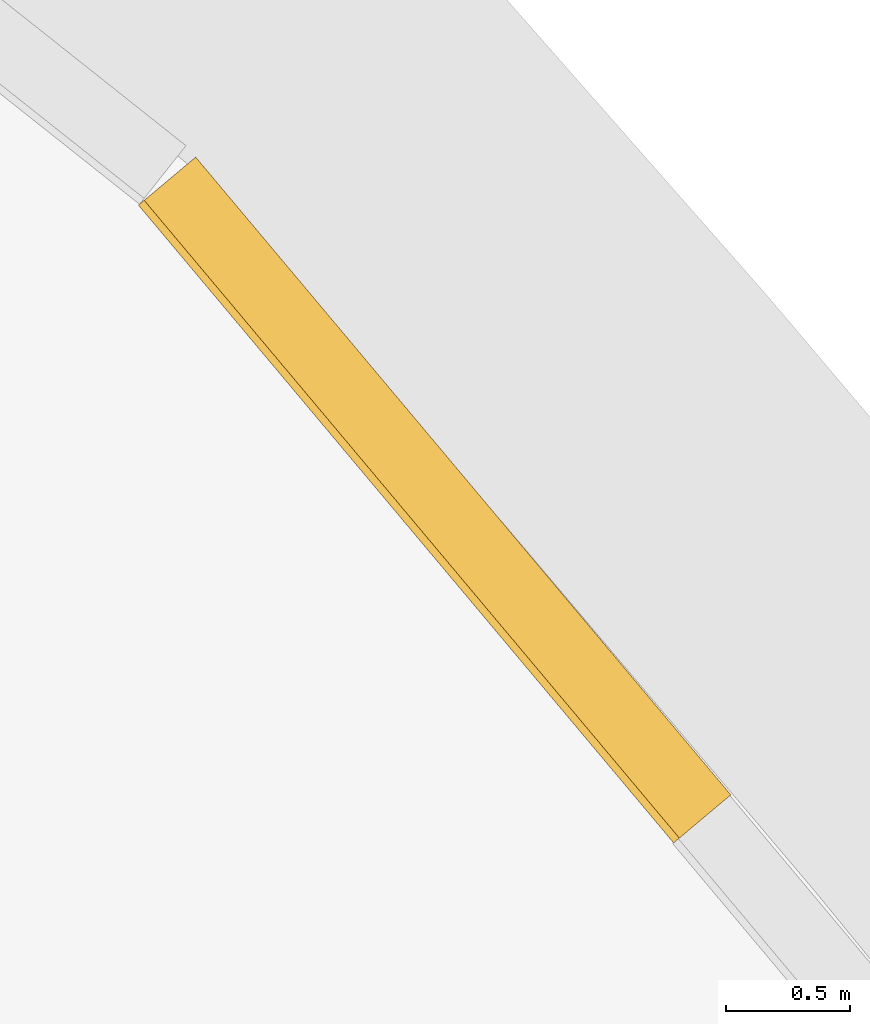
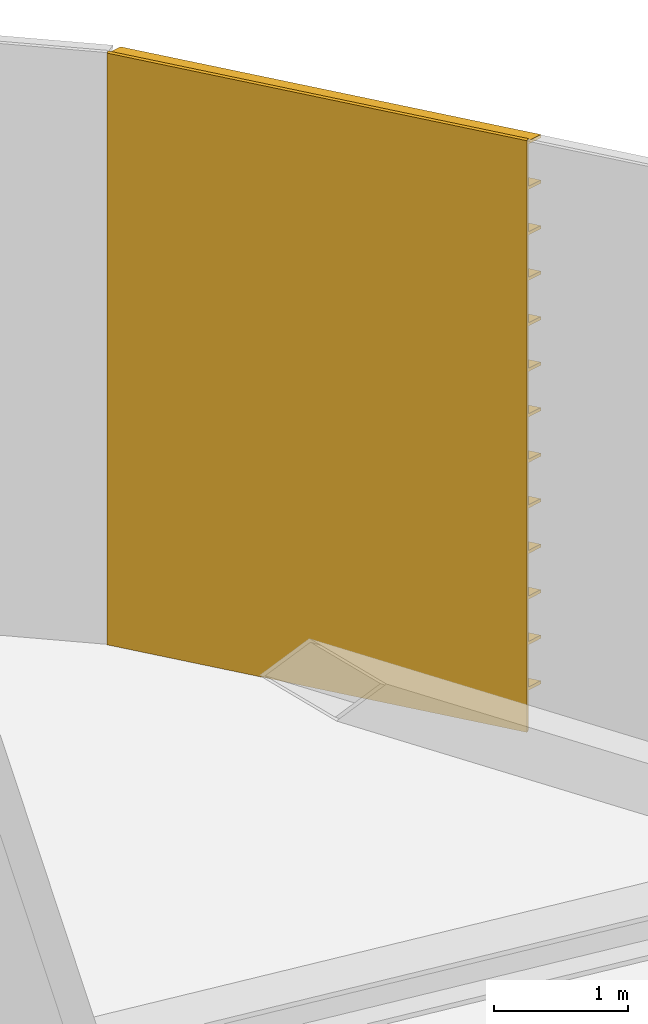
# One storey, part 14 of 15: 1 shading device.
"""IFC4 building model written with IfcOpenShell, lengths in metres."""

import ifcopenshell
import ifcopenshell.guid

model = None  # the IFC model being written
_history = None  # IfcOwnerHistory: only IFC2X3 demands one
_inside = {}  # id of a spatial element -> (the spatial element, [elements in it])
_under = {}  # id of a project, library or spatial element -> (it, [spatial elements below it])
_declared = {}  # id of a project -> (the project, [libraries it declares])
_typed = {}  # id of a type object -> (the type object, [elements of that type])
_made_of = {}  # id of a material, layer set ... -> (it, [elements and type objects made of it])


def new_model(schema):
    """Start an empty IFC model of exactly this schema.

    Asked for "IFC4X3", IfcOpenShell would pick the latest addendum, in which some entities
    have other attributes; the version numbers below select the first issue.
    IFC2X3 requires an IfcOwnerHistory on every rooted entity: one is made here for all.
    """
    global model, _history
    if schema == "IFC4X3":
        model = ifcopenshell.file(schema_version=(4, 3, 0, 0))
    else:
        model = ifcopenshell.file(schema=schema)
    _inside.clear()
    _under.clear()
    _declared.clear()
    _typed.clear()
    _made_of.clear()
    _history = None
    if model.schema == "IFC2X3":
        org = make("IfcOrganization", Name="unknown")
        user = make(
            "IfcPersonAndOrganization",
            ThePerson=make("IfcPerson", FamilyName="unknown"),
            TheOrganization=org,
        )
        app = make(
            "IfcApplication",
            ApplicationDeveloper=org,
            Version="unknown",
            ApplicationFullName="unknown",
            ApplicationIdentifier="unknown",
        )
        _history = make(
            "IfcOwnerHistory",
            OwningUser=user,
            OwningApplication=app,
            ChangeAction="ADDED",
            CreationDate=0,
        )
    return model


def make(cls, **values):
    """One entity of the class cls with the attributes given. An attribute that is None is left unset."""
    return model.create_entity(
        cls, **{name: value for name, value in values.items() if value is not None}
    )


def rooted(cls, **values):
    """An entity with a GlobalId (a new one), such as an element, a storey or a relation."""
    return make(cls, GlobalId=ifcopenshell.guid.new(), OwnerHistory=_history, **values)


def si_unit(unit_type, name, prefix=None):
    """IfcSIUnit, for example si_unit("LENGTHUNIT", "METRE", prefix="MILLI")."""
    return make("IfcSIUnit", UnitType=unit_type, Prefix=prefix, Name=name)


def assignment(units):
    """IfcUnitAssignment: the units of a project."""
    return None if units is None else make("IfcUnitAssignment", Units=units)


def point(xyz):
    """IfcCartesianPoint."""
    return None if xyz is None else make("IfcCartesianPoint", Coordinates=xyz)


def direction(xyz):
    """IfcDirection."""
    return None if xyz is None else make("IfcDirection", DirectionRatios=xyz)


def frame(location, z_axis=None, x_axis=None):
    """IfcAxis2Placement3D, a coordinate frame: its origin and axes. An axis left out is left unset."""
    return make(
        "IfcAxis2Placement3D",
        Location=point(location),
        Axis=direction(z_axis),
        RefDirection=direction(x_axis),
    )


def origin():
    """The frame at (0, 0, 0) with its axes left unset."""
    return frame((0.0, 0.0, 0.0))


def place(relative_to, where):
    """IfcLocalPlacement: puts the frame where relative to a parent placement (None: the world)."""
    return make(
        "IfcLocalPlacement", PlacementRelTo=relative_to, RelativePlacement=where
    )


def context(
    kind, dimensions, precision=None, world=None, true_north=None, identifier=None
):
    """IfcGeometricRepresentationContext, for example the 3D "Model" context."""
    return make(
        "IfcGeometricRepresentationContext",
        ContextIdentifier=identifier,
        ContextType=kind,
        CoordinateSpaceDimension=dimensions,
        Precision=precision,
        WorldCoordinateSystem=world,
        TrueNorth=true_north,
    )


def subcontext(parent, identifier, kind, view, scale=None):
    """IfcGeometricRepresentationSubContext, for example "Body" below "Model"."""
    return make(
        "IfcGeometricRepresentationSubContext",
        ContextIdentifier=identifier,
        ContextType=kind,
        ParentContext=parent,
        TargetScale=scale,
        TargetView=view,
    )


def project(units=None, contexts=None):
    """IfcProject with its units and contexts."""
    return rooted(
        "IfcProject",
        Name="project",
        RepresentationContexts=contexts,
        UnitsInContext=assignment(units),
    )


def spatial(cls, under=None, at=None, **own):
    """A site, building, storey or space (cls), placed at a placement, below another one or the project."""
    s = rooted(cls, ObjectPlacement=at, **own)
    if under is not None:
        _under.setdefault(under.id(), (under, []))[1].append(s)
    return s


def polyline(points):
    """IfcPolyline through the points."""
    return make("IfcPolyline", Points=[point(p) for p in points])


def outline(outer, holes=None, kind="AREA"):
    """IfcArbitraryClosedProfileDef: a profile drawn as a closed curve; with holes, ...WithVoids."""
    if holes is None:
        return make("IfcArbitraryClosedProfileDef", ProfileType=kind, OuterCurve=outer)
    return make(
        "IfcArbitraryProfileDefWithVoids",
        ProfileType=kind,
        OuterCurve=outer,
        InnerCurves=holes,
    )


def extrude(swept, where, along, depth):
    """IfcExtrudedAreaSolid: the profile swept, set in the frame where, extruded along a direction by depth."""
    return make(
        "IfcExtrudedAreaSolid",
        SweptArea=swept,
        Position=where,
        ExtrudedDirection=direction(along),
        Depth=depth,
    )


def shape(context_of_items, identifier, shape_type, items):
    """IfcShapeRepresentation: the items that make up one representation, for example the "Body"."""
    return make(
        "IfcShapeRepresentation",
        ContextOfItems=context_of_items,
        RepresentationIdentifier=identifier,
        RepresentationType=shape_type,
        Items=items,
    )


def material(Name=None, Category=None):
    """IfcMaterial."""
    return make("IfcMaterial", Name=Name, Category=Category)


def made_of(thing, what):
    """Note that an element or type object is made of a material, layer set ...; save() writes the relation."""
    if what is not None:
        _made_of.setdefault(what.id(), (what, []))[1].append(thing)
    return thing


def type_object(cls, material=None, **own):
    """A type object (cls), such as IfcWallType, which elements share."""
    return made_of(rooted(cls, **own), material)


def element(
    cls,
    number,
    at=None,
    inside=None,
    cuts=None,
    type_object=None,
    material=None,
    context=None,
    identifier="Body",
    shape_type=None,
    held_by="IfcProductDefinitionShape",
    body=None,
    shapes=None,
    **own,
):
    """One element of the class cls, such as IfcWall. Its Tag is "e" and its number.

    at: its placement. inside: the storey or other place that contains it. cuts: it is an
    opening in that element (IfcRelVoidsElement). A single representation is given by context,
    identifier, shape_type and body (its items); several are given by shapes. held_by: the class
    of the entity that holds the representations. save() writes the other relations.
    """
    e = rooted(cls, Tag="e%d" % number, ObjectPlacement=at, **own)
    if body is not None:
        shapes = [shape(context, identifier, shape_type, body)]
    if shapes is not None:
        e.Representation = make(held_by, Representations=shapes)
    if inside is not None:
        _inside.setdefault(inside.id(), (inside, []))[1].append(e)
    if cuts is not None:
        rooted(
            "IfcRelVoidsElement", RelatingBuildingElement=cuts, RelatedOpeningElement=e
        )
    if type_object is not None:
        _typed.setdefault(type_object.id(), (type_object, []))[1].append(e)
    return made_of(e, material)


def aggregate(whole, parts):
    """IfcRelAggregates: a whole, such as a stair, and the parts it consists of."""
    return rooted("IfcRelAggregates", RelatingObject=whole, RelatedObjects=parts)


def save(model, path):
    """Write the relations noted so far, then the file.

    IfcRelAggregates (storeys below a building ...), IfcRelContainedInSpatialStructure (elements
    in a storey), IfcRelDefinesByType, IfcRelAssociatesMaterial and IfcRelDeclares: one each for
    every whole, place, type object, material and project.
    """
    for whole, parts in _under.values():
        aggregate(whole, parts)
    for where, things in _inside.values():
        rooted(
            "IfcRelContainedInSpatialStructure",
            RelatedElements=things,
            RelatingStructure=where,
        )
    for kind, things in _typed.values():
        rooted("IfcRelDefinesByType", RelatedObjects=things, RelatingType=kind)
    for what, things in _made_of.values():
        rooted("IfcRelAssociatesMaterial", RelatedObjects=things, RelatingMaterial=what)
    for by, libraries in _declared.values():
        rooted("IfcRelDeclares", RelatingContext=by, RelatedDefinitions=libraries)
    model.write(path)


model = new_model("IFC4")

# Units and contexts
model_context = context("Model", 3, precision=1e-05, world=origin(), true_north=direction((0.0, 1.0)))
body_context = subcontext(model_context, "Body", "Model", "MODEL_VIEW")
ifc_project = project(units=[si_unit("LENGTHUNIT", "METRE"), si_unit("AREAUNIT", "SQUARE_METRE"), si_unit("VOLUMEUNIT", "CUBIC_METRE"), si_unit("PLANEANGLEUNIT", "RADIAN"), si_unit("MASSUNIT", "GRAM", prefix="KILO")], contexts=[model_context])

# Site, building, storey
site_placement = place(None, origin())
site = spatial("IfcSite", under=ifc_project, at=site_placement, CompositionType="ELEMENT")
building_placement = place(site_placement, origin())
building = spatial("IfcBuilding", under=site, at=building_placement, Name="Sierra Prisma Convention Tower", CompositionType="ELEMENT")
storey_placement = place(building_placement, frame((0.0, 0.0, 324.39990234375)))
storey = spatial("IfcBuildingStorey", under=building, at=storey_placement, Name="L74", CompositionType="ELEMENT", Elevation=324.39990234375)

# Shading device
ifc_material = material(Name="Aluminium 6063-T6 bronze anodised", Category="aluminium")
shading_device_type = type_object("IfcShadingDeviceType", Name="Louvre bay bronze", PredefinedType="USERDEFINED", material=ifc_material)
shading_device_placement = place(storey_placement, frame((7.127685546875, 24.691650390625, 0.0), z_axis=(0.64282299384, -0.766014750896, 0.0), x_axis=(0.0, 0.0, 1.0)))
element("IfcShadingDevice", 1, at=shading_device_placement, inside=storey, type_object=shading_device_type, Name="Louvre L74 NE6.2", ObjectType="LOUVRE", PredefinedType="USERDEFINED", context=body_context, shape_type="SweptSolid", body=[
    extrude(outline(polyline([(0.0, 0.0), (5.400146484375, 0.0), (5.400146484375, -0.029977637475000866), (5.380126953125, -0.029977637475000866), (5.260009765625, -0.2999934661826142), (5.22998046875, -0.2999934661826142), (5.35009765625, -0.029977637475000866), (4.984619140625, -0.029977637475000866), (4.964599609375, -0.029977637475000866), (4.8447265625, -0.2999934661826142), (4.814697265625, -0.2999934661826142), (4.934814453125, -0.029977637475000866), (4.5693359375, -0.029977637475000866), (4.54931640625, -0.029977637475000866), (4.429443359375, -0.2999934661826142), (4.3994140625, -0.2999934661826142), (4.519287109375, -0.029977637475000866), (4.154052734375, -0.029977637475000866), (4.134033203125, -0.029977637475000866), (4.013916015625, -0.2999934661826142), (3.98388671875, -0.2999934661826142), (4.10400390625, -0.029977637475000866), (3.738525390625, -0.029977637475000866), (3.718505859375, -0.029977637475000866), (3.5986328125, -0.2999934661826142), (3.568603515625, -0.2999934661826142), (3.6884765625, -0.029977637475000866), (3.3232421875, -0.029977637475000866), (3.30322265625, -0.029977637475000866), (3.18310546875, -0.2999934661826142), (3.153076171875, -0.2999934661826142), (3.273193359375, -0.029977637475000866), (2.90771484375, -0.029977637475000866), (2.8876953125, -0.029977637475000866), (2.767822265625, -0.2999934661826142), (2.73779296875, -0.2999934661826142), (2.85791015625, -0.029977637475000866), (2.492431640625, -0.029977637475000866), (2.472412109375, -0.029977637475000866), (2.352294921875, -0.2999934661826142), (2.322509765625, -0.2999934661826142), (2.4423828125, -0.029977637475000866), (2.076904296875, -0.029977637475000866), (2.05712890625, -0.029977637475000866), (1.93701171875, -0.2999934661826142), (1.906982421875, -0.2999934661826142), (2.027099609375, -0.029977637475000866), (1.66162109375, -0.029977637475000866), (1.6416015625, -0.029977637475000866), (1.521728515625, -0.2999934661826142), (1.49169921875, -0.2999934661826142), (1.611572265625, -0.029977637475000866), (1.246337890625, -0.029977637475000866), (1.226318359375, -0.029977637475000866), (1.106201171875, -0.2999934661826142), (1.076171875, -0.2999934661826142), (1.1962890625, -0.029977637475000866), (0.830810546875, -0.029977637475000866), (0.810791015625, -0.029977637475000866), (0.69091796875, -0.2999934661826142), (0.660888671875, -0.2999934661826142), (0.78076171875, -0.029977637475000866), (0.41552734375, -0.029977637475000866), (0.3955078125, -0.029977637475000866), (0.275390625, -0.2999934661826142), (0.245361328125, -0.2999934661826142), (0.365478515625, -0.029977637475000866), (0.0, -0.029977637475000866), (0.0, 0.0)])), origin(), (0.0, 0.0, -1.0), 3.343505859375),
])

save(model, "model.ifc")
